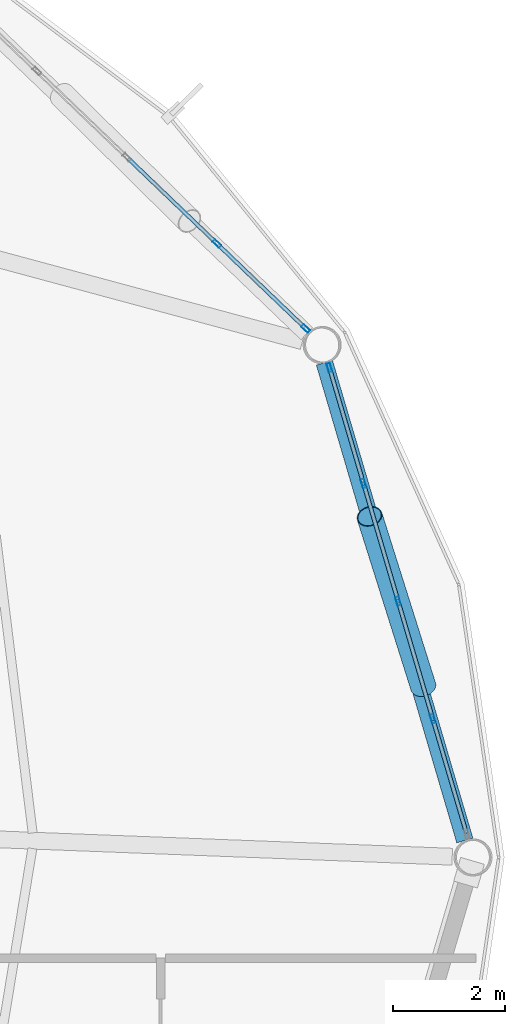
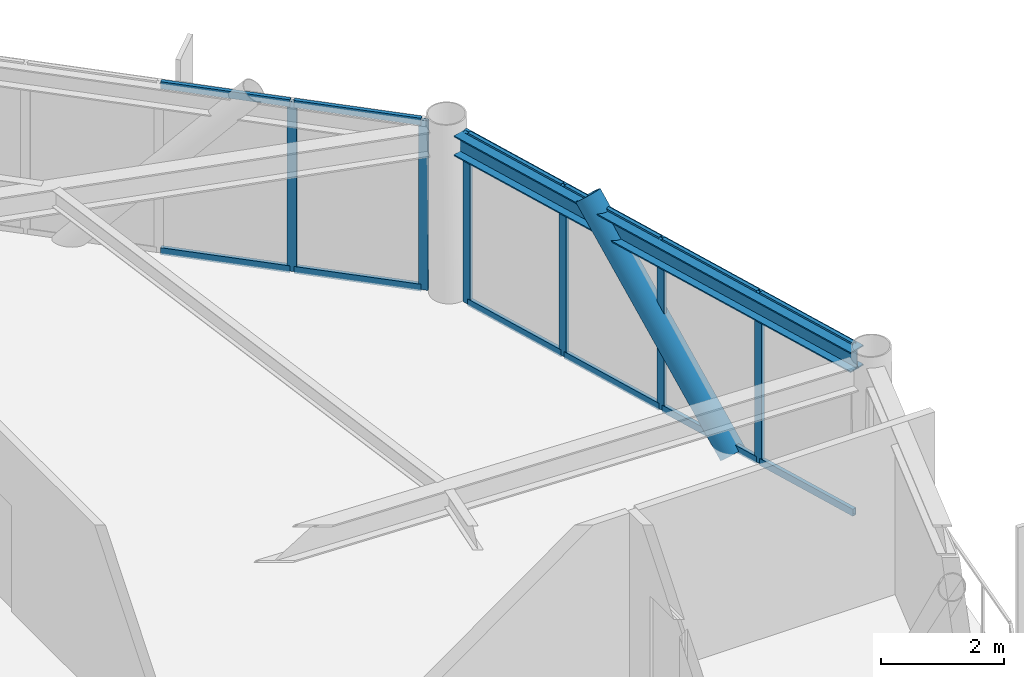
# One storey, part 16 of 28: 19 members, 1 beam, 2 elements without a shape of their own.
"""IFC4 building model written with IfcOpenShell, lengths in metres."""

from ifc_helpers import new_model, si_unit, direction, frame, origin, origin_2d, place, context, subcontext, project, spatial, hollow_rectangle, hollow_circle, i_section, extrude, material, layer, layer_set, material_profile, profile_set, type_object, element, aggregate, save


model = new_model("IFC4")

# Units and contexts
model_context = context("Model", 3, precision=1e-05, world=origin(), true_north=direction((0.0, 1.0)))
body_context = subcontext(model_context, "Body", "Model", "MODEL_VIEW")
ifc_project = project(units=[si_unit("LENGTHUNIT", "METRE"), si_unit("AREAUNIT", "SQUARE_METRE"), si_unit("VOLUMEUNIT", "CUBIC_METRE"), si_unit("PLANEANGLEUNIT", "RADIAN"), si_unit("MASSUNIT", "GRAM", prefix="KILO")], contexts=[model_context])

# Site, building, storey
site_placement = place(None, origin())
site = spatial("IfcSite", under=ifc_project, at=site_placement, CompositionType="ELEMENT")
building_placement = place(site_placement, origin())
building = spatial("IfcBuilding", under=site, at=building_placement, Name="Varnakorn Sky Granary", CompositionType="ELEMENT")
storey_placement = place(building_placement, frame((0.0, 0.0, 207.60009765625)))
storey = spatial("IfcBuildingStorey", under=building, at=storey_placement, Name="L52", CompositionType="ELEMENT", Elevation=207.60009765625)

# Beam
ifc_material_1 = material(Name="Steel S355JR", Category="steel")
ifc_material_profile_1 = material_profile(ifc_material_1, i_section(OverallWidth=0.300048828125, OverallDepth=0.39990234375, WebThickness=0.013427734375, FlangeThickness=0.02392578125, at=origin_2d()), Name="HE 400 B")
ifc_profile_set_1 = profile_set([ifc_material_profile_1], Name="Steel S355JR")
beam_type = type_object("IfcBeamType", Name="BM-SPD-Z4", PredefinedType="SPANDREL", material=ifc_profile_set_1)
beam_placement = place(storey_placement, frame((23.93408203125, 0.30224609375, 3.159912109375), z_axis=(-0.281956777756, 0.959427107954, 0.0), x_axis=(-0.959427107954, -0.281956777756, 0.0)))
element("IfcBeam", 1, at=beam_placement, inside=storey, type_object=beam_type, Name="Perimeter Spandrel Ring Beam RB01 L52", PredefinedType="SPANDREL", context=body_context, shape_type="SweptSolid", body=[
    extrude(i_section(OverallWidth=0.300048828125, OverallDepth=0.39990234375, WebThickness=0.013427734375, FlangeThickness=0.02392578125, at=origin_2d()), origin(), (0.0, 0.0, 1.0), 8.894287109375),
])

# Curtain wall, members
ifc_material_2 = material(Name="Anodised Bronze Aluminium Alloy 6063-T6", Category="aluminium")
ifc_layer = layer(ifc_material_2, 0.169921875, Name="Anodised Bronze Aluminium Alloy 6063-T6")
ifc_layer_set = layer_set([ifc_layer], Name="Anodised Bronze Aluminium Alloy 6063-T6")
curtain_wall_type = type_object("IfcCurtainWallType", Name="CW-LAB-1", PredefinedType="USERDEFINED", material=ifc_layer_set)
curtain_wall_1_placement = place(storey_placement, origin())
curtain_wall_1 = element("IfcCurtainWall", 2, at=curtain_wall_1_placement, inside=storey, type_object=curtain_wall_type, Name="Unitised Curtain Wall CW5 CW-L52-B01", ObjectType="CURTAIN WALL", PredefinedType="USERDEFINED")
ifc_material_profile_2 = material_profile(ifc_material_2, hollow_rectangle(XDim=0.06494140625, YDim=0.159912109375, WallThickness=0.00341796875, at=origin_2d()), Name="ALU MULL 65x160")
ifc_profile_set_2 = profile_set([ifc_material_profile_2], Name="Anodised Bronze Aluminium Alloy 6063-T6")
member_type_1 = type_object("IfcMemberType", Name="CW-LAB-1-MULL", PredefinedType="MULLION", material=ifc_profile_set_2)
member_1_placement = place(storey_placement, frame((21.5146484375, 8.749755859375, 0.0), z_axis=(0.0, 0.0, 1.0), x_axis=(0.959309517364, 0.282356600585, 0.0)))
member_1 = element("IfcMember", 3, at=member_1_placement, type_object=member_type_1, Name="CW5 mullion 1", PredefinedType="MULLION", context=body_context, shape_type="SweptSolid", body=[
    extrude(hollow_rectangle(XDim=0.06494140625, YDim=0.159912109375, WallThickness=0.00341796875, at=origin_2d()), origin(), (0.0, 0.0, 1.0), 3.35986328125),
])
member_2_placement = place(storey_placement, frame((22.1240234375, 6.67919921875, 0.0), z_axis=(0.0, 0.0, 1.0), x_axis=(0.959309517364, 0.282356600585, 0.0)))
member_2 = element("IfcMember", 4, at=member_2_placement, type_object=member_type_1, Name="CW5 mullion 2", PredefinedType="MULLION", context=body_context, shape_type="SweptSolid", body=[
    extrude(hollow_rectangle(XDim=0.06494140625, YDim=0.159912109375, WallThickness=0.00341796875, at=origin_2d()), origin(), (0.0, 0.0, 1.0), 3.35986328125),
])
member_3_placement = place(storey_placement, frame((22.74267578125, 4.577392578125, 0.0), z_axis=(0.0, 0.0, 1.0), x_axis=(0.959309517364, 0.282356600585, 0.0)))
member_3 = element("IfcMember", 5, at=member_3_placement, type_object=member_type_1, Name="CW5 mullion 3", PredefinedType="MULLION", context=body_context, shape_type="SweptSolid", body=[
    extrude(hollow_rectangle(XDim=0.06494140625, YDim=0.159912109375, WallThickness=0.00341796875, at=origin_2d()), origin(), (0.0, 0.0, 1.0), 3.35986328125),
])
member_4_placement = place(storey_placement, frame((23.361328125, 2.475830078125, 0.0), z_axis=(0.0, 0.0, 1.0), x_axis=(0.959309517364, 0.282356600585, 0.0)))
member_4 = element("IfcMember", 6, at=member_4_placement, type_object=member_type_1, Name="CW5 mullion 4", PredefinedType="MULLION", context=body_context, shape_type="SweptSolid", body=[
    extrude(hollow_rectangle(XDim=0.06494140625, YDim=0.159912109375, WallThickness=0.00341796875, at=origin_2d()), origin(), (0.0, 0.0, 1.0), 3.35986328125),
])

curtain_wall_2_placement = place(storey_placement, origin())
curtain_wall_2 = element("IfcCurtainWall", 7, at=curtain_wall_2_placement, inside=storey, type_object=curtain_wall_type, Name="Unitised Curtain Wall CW5 CW-L52-B02", ObjectType="CURTAIN WALL", PredefinedType="USERDEFINED")
member_5_placement = place(storey_placement, frame((19.50634765625, 10.96533203125, 0.0), z_axis=(0.0, 0.0, 1.0), x_axis=(0.691923166337, 0.721971143389, 0.0)))
member_5 = element("IfcMember", 8, at=member_5_placement, type_object=member_type_1, Name="CW5 mullion 4", PredefinedType="MULLION", context=body_context, shape_type="SweptSolid", body=[
    extrude(hollow_rectangle(XDim=0.06494140625, YDim=0.159912109375, WallThickness=0.00341796875, at=origin_2d()), origin(), (0.0, 0.0, 1.0), 3.35986328125),
])
member_6_placement = place(storey_placement, frame((21.09033203125, 9.447265625, 0.0), z_axis=(0.0, 0.0, 1.0), x_axis=(0.691923166337, 0.721971143389, 0.0)))
member_6 = element("IfcMember", 9, at=member_6_placement, type_object=member_type_1, Name="CW5 mullion 5", PredefinedType="MULLION", context=body_context, shape_type="SweptSolid", body=[
    extrude(hollow_rectangle(XDim=0.06494140625, YDim=0.159912109375, WallThickness=0.00341796875, at=origin_2d()), origin(), (0.0, 0.0, 1.0), 3.35986328125),
])

# Member
ifc_material_profile_3 = material_profile(ifc_material_2, hollow_rectangle(XDim=0.070068359375, YDim=0.139892578125, WallThickness=0.00341796875, at=origin_2d()), Name="ALU TRAN 70x140")
ifc_profile_set_3 = profile_set([ifc_material_profile_3], Name="Anodised Bronze Aluminium Alloy 6063-T6")
member_type_2 = type_object("IfcMemberType", Name="CW-LAB-1-TRAN", PredefinedType="USERDEFINED", material=ifc_profile_set_3)
member_7_placement = place(storey_placement, frame((21.52392578125, 8.718505859375, 0.034912109375), z_axis=(0.282368382469, -0.959306049487, 0.0), x_axis=(0.959306049487, 0.282368382469, 0.0)))
member_7 = element("IfcMember", 10, at=member_7_placement, type_object=member_type_2, Name="CW5 transom 1.1", ObjectType="TRANSOM", PredefinedType="USERDEFINED", context=body_context, shape_type="SweptSolid", body=[
    extrude(hollow_rectangle(XDim=0.070068359375, YDim=0.139892578125, WallThickness=0.00341796875, at=origin_2d()), origin(), (0.0, 0.0, 1.0), 2.09326171875),
])

member_8_placement = place(storey_placement, frame((21.52392578125, 8.718505859375, 3.324951171875), z_axis=(0.282368382469, -0.959306049487, 0.0), x_axis=(0.959306049487, 0.282368382469, 0.0)))
member_8 = element("IfcMember", 11, at=member_8_placement, type_object=member_type_2, Name="CW5 transom 1.2", ObjectType="TRANSOM", PredefinedType="USERDEFINED", context=body_context, shape_type="SweptSolid", body=[
    extrude(hollow_rectangle(XDim=0.070068359375, YDim=0.139892578125, WallThickness=0.00341796875, at=origin_2d()), origin(), (0.0, 0.0, 1.0), 2.09326171875),
])

member_9_placement = place(storey_placement, frame((22.13330078125, 6.64794921875, 0.034912109375), z_axis=(0.282402587845, -0.959295980591, 0.0), x_axis=(0.959295980591, 0.282402587845, 0.0)))
member_9 = element("IfcMember", 12, at=member_9_placement, type_object=member_type_2, Name="CW5 transom 2.1", ObjectType="TRANSOM", PredefinedType="USERDEFINED", context=body_context, shape_type="SweptSolid", body=[
    extrude(hollow_rectangle(XDim=0.070068359375, YDim=0.139892578125, WallThickness=0.00341796875, at=origin_2d()), origin(), (0.0, 0.0, 1.0), 2.125732421875),
])

member_10_placement = place(storey_placement, frame((22.13330078125, 6.64794921875, 3.324951171875), z_axis=(0.282402587845, -0.959295980591, 0.0), x_axis=(0.959295980591, 0.282402587845, 0.0)))
member_10 = element("IfcMember", 13, at=member_10_placement, type_object=member_type_2, Name="CW5 transom 2.2", ObjectType="TRANSOM", PredefinedType="USERDEFINED", context=body_context, shape_type="SweptSolid", body=[
    extrude(hollow_rectangle(XDim=0.070068359375, YDim=0.139892578125, WallThickness=0.00341796875, at=origin_2d()), origin(), (0.0, 0.0, 1.0), 2.125732421875),
])

member_11_placement = place(storey_placement, frame((22.751953125, 4.54638671875, 0.034912109375), z_axis=(0.282296897208, -0.959327088029, 0.0), x_axis=(0.959327088029, 0.282296897208, 0.0)))
member_11 = element("IfcMember", 14, at=member_11_placement, type_object=member_type_2, Name="CW5 transom 3.1", ObjectType="TRANSOM", PredefinedType="USERDEFINED", context=body_context, shape_type="SweptSolid", body=[
    extrude(hollow_rectangle(XDim=0.070068359375, YDim=0.139892578125, WallThickness=0.00341796875, at=origin_2d()), origin(), (0.0, 0.0, 1.0), 2.125732421875),
])

member_12_placement = place(storey_placement, frame((22.751953125, 4.54638671875, 3.324951171875), z_axis=(0.282296897208, -0.959327088029, 0.0), x_axis=(0.959327088029, 0.282296897208, 0.0)))
member_12 = element("IfcMember", 15, at=member_12_placement, type_object=member_type_2, Name="CW5 transom 3.2", ObjectType="TRANSOM", PredefinedType="USERDEFINED", context=body_context, shape_type="SweptSolid", body=[
    extrude(hollow_rectangle(XDim=0.070068359375, YDim=0.139892578125, WallThickness=0.00341796875, at=origin_2d()), origin(), (0.0, 0.0, 1.0), 2.125732421875),
])

member_13_placement = place(storey_placement, frame((23.370361328125, 2.444580078125, 0.034912109375), z_axis=(0.282368382469, -0.959306049487, 0.0), x_axis=(0.959306049487, 0.282368382469, 0.0)))
member_13 = element("IfcMember", 16, at=member_13_placement, type_object=member_type_2, Name="CW5 transom 4.1", ObjectType="TRANSOM", PredefinedType="USERDEFINED", context=body_context, shape_type="SweptSolid", body=[
    extrude(hollow_rectangle(XDim=0.070068359375, YDim=0.139892578125, WallThickness=0.00341796875, at=origin_2d()), origin(), (0.0, 0.0, 1.0), 2.09326171875),
])

member_14_placement = place(storey_placement, frame((23.370361328125, 2.444580078125, 3.324951171875), z_axis=(0.282368382469, -0.959306049487, 0.0), x_axis=(0.959306049487, 0.282368382469, 0.0)))
member_14 = element("IfcMember", 17, at=member_14_placement, type_object=member_type_2, Name="CW5 transom 4.2", ObjectType="TRANSOM", PredefinedType="USERDEFINED", context=body_context, shape_type="SweptSolid", body=[
    extrude(hollow_rectangle(XDim=0.070068359375, YDim=0.139892578125, WallThickness=0.00341796875, at=origin_2d()), origin(), (0.0, 0.0, 1.0), 2.09326171875),
])

aggregate(curtain_wall_1, [member_1, member_2, member_3, member_4, member_7, member_8, member_9, member_10, member_11, member_12, member_13, member_14])

member_15_placement = place(storey_placement, frame((17.92236328125, 12.4833984375, 0.034912109375), z_axis=(0.721969397067, -0.691924988491, 0.0), x_axis=(0.691924988491, 0.721969397067, 0.0)))
member_15 = element("IfcMember", 18, at=member_15_placement, type_object=member_type_2, Name="CW5 transom 3.1", ObjectType="TRANSOM", PredefinedType="USERDEFINED", context=body_context, shape_type="SweptSolid", body=[
    extrude(hollow_rectangle(XDim=0.070068359375, YDim=0.139892578125, WallThickness=0.00341796875, at=origin_2d()), origin(), (0.0, 0.0, 1.0), 2.16162109375),
])

member_16_placement = place(storey_placement, frame((17.92236328125, 12.4833984375, 3.324951171875), z_axis=(0.721969397067, -0.691924988491, 0.0), x_axis=(0.691924988491, 0.721969397067, 0.0)))
member_16 = element("IfcMember", 19, at=member_16_placement, type_object=member_type_2, Name="CW5 transom 3.2", ObjectType="TRANSOM", PredefinedType="USERDEFINED", context=body_context, shape_type="SweptSolid", body=[
    extrude(hollow_rectangle(XDim=0.070068359375, YDim=0.139892578125, WallThickness=0.00341796875, at=origin_2d()), origin(), (0.0, 0.0, 1.0), 2.16162109375),
])

member_17_placement = place(storey_placement, frame((19.52978515625, 10.94287109375, 0.034912109375), z_axis=(0.722026396147, -0.691865509523, 0.0), x_axis=(0.691865509523, 0.722026396147, 0.0)))
member_17 = element("IfcMember", 20, at=member_17_placement, type_object=member_type_2, Name="CW5 transom 4.1", ObjectType="TRANSOM", PredefinedType="USERDEFINED", context=body_context, shape_type="SweptSolid", body=[
    extrude(hollow_rectangle(XDim=0.070068359375, YDim=0.139892578125, WallThickness=0.00341796875, at=origin_2d()), origin(), (0.0, 0.0, 1.0), 2.12890625),
])

member_18_placement = place(storey_placement, frame((19.52978515625, 10.94287109375, 3.324951171875), z_axis=(0.722026396147, -0.691865509523, 0.0), x_axis=(0.691865509523, 0.722026396147, 0.0)))
member_18 = element("IfcMember", 21, at=member_18_placement, type_object=member_type_2, Name="CW5 transom 4.2", ObjectType="TRANSOM", PredefinedType="USERDEFINED", context=body_context, shape_type="SweptSolid", body=[
    extrude(hollow_rectangle(XDim=0.070068359375, YDim=0.139892578125, WallThickness=0.00341796875, at=origin_2d()), origin(), (0.0, 0.0, 1.0), 2.12890625),
])

aggregate(curtain_wall_2, [member_5, member_6, member_15, member_16, member_17, member_18])

ifc_material_3 = material(Name="Steel S460M", Category="steel")
ifc_material_profile_4 = material_profile(ifc_material_3, hollow_circle(Radius=0.228515625, WallThickness=0.01611328125, at=origin_2d()), Name="CHS 457x16")
ifc_profile_set_4 = profile_set([ifc_material_profile_4], Name="Steel S460M")
member_type_3 = type_object("IfcMemberType", Name="MB-DIAG-T3", PredefinedType="BRACE", material=ifc_profile_set_4)
member_19_placement = place(storey_placement, frame((23.19189453125, 3.0517578125, -0.130126953125), z_axis=(-0.198854817293, 0.630272089527, 0.750475752309), x_axis=(-0.953660178768, -0.300885797991, 0.0)))
element("IfcMember", 22, at=member_19_placement, inside=storey, type_object=member_type_3, Name="Perimeter CHS Diagrid Brace DG01 L52", PredefinedType="BRACE", context=body_context, shape_type="SweptSolid", body=[
    extrude(hollow_circle(Radius=0.228515625, WallThickness=0.01611328125, at=origin_2d()), origin(), (0.0, 0.0, 1.0), 4.82373046875),
])

save(model, "model.ifc")
